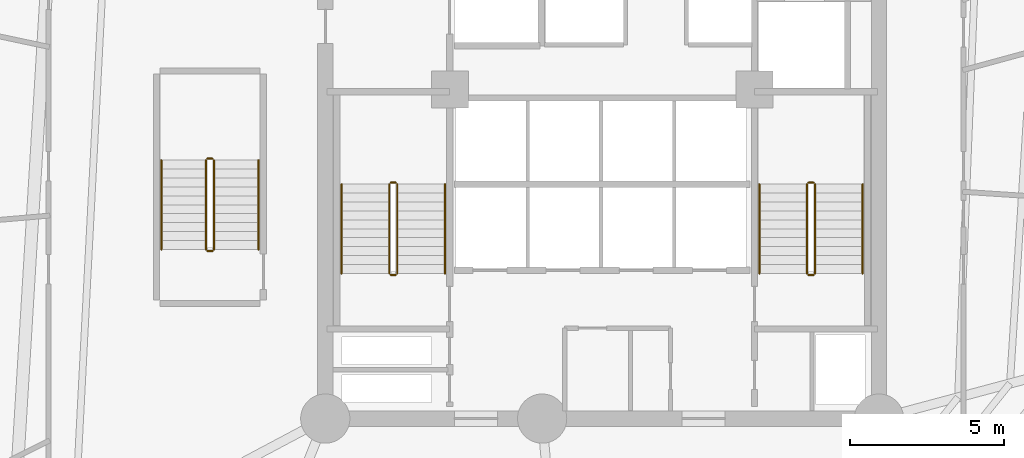
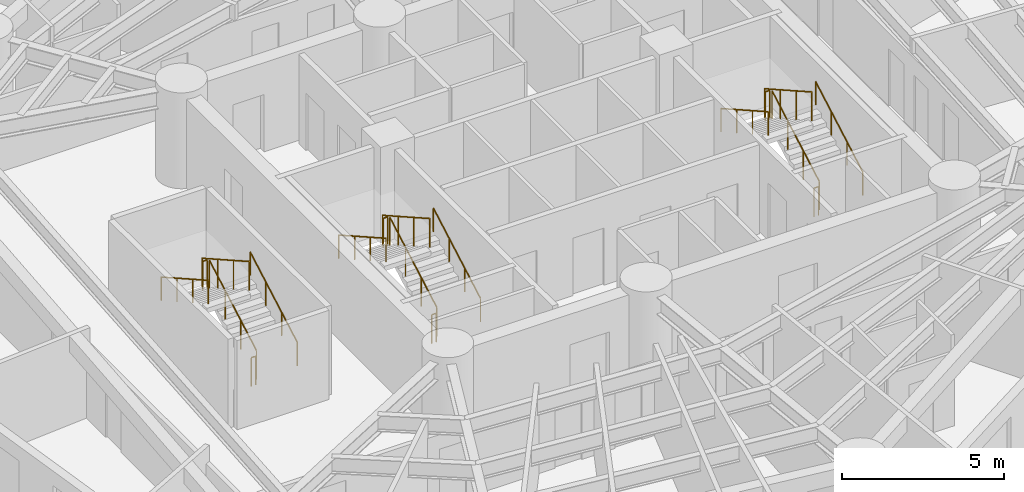
# One storey, part 8 of 9: 18 railings.
"""IFC4 building model written with IfcOpenShell, lengths in metres."""

from ifc_helpers import new_model, si_unit, direction, frame, origin, origin_2d, place, context, subcontext, project, spatial, circle, extrude, material, layer, layer_set, type_object, element, save


model = new_model("IFC4")

# Units and contexts
model_context = context("Model", 3, precision=1e-05, world=origin(), true_north=direction((0.0, 1.0)))
body_context = subcontext(model_context, "Body", "Model", "MODEL_VIEW")
ifc_project = project(units=[si_unit("LENGTHUNIT", "METRE"), si_unit("AREAUNIT", "SQUARE_METRE"), si_unit("VOLUMEUNIT", "CUBIC_METRE"), si_unit("PLANEANGLEUNIT", "RADIAN"), si_unit("MASSUNIT", "GRAM", prefix="KILO")], contexts=[model_context])

# Site, building, storey
site_placement = place(None, origin())
site = spatial("IfcSite", under=ifc_project, at=site_placement, CompositionType="ELEMENT")
building_placement = place(site_placement, origin())
building = spatial("IfcBuilding", under=site, at=building_placement, Name="Karkom Vertical University and Central Library", CompositionType="ELEMENT")
storey_placement = place(building_placement, frame((0.0, 0.0, 69.699951171875)))
storey = spatial("IfcBuildingStorey", under=building, at=storey_placement, Name="L18", CompositionType="ELEMENT", Elevation=69.699951171875)

# Railings
ifc_material_1 = material(Name="Painted galvanised steel balustrade", Category="steel")
ifc_layer_1 = layer(ifc_material_1, 0.06005859375)
ifc_layer_set_1 = layer_set([ifc_layer_1], Name="Painted galvanised steel balustrade")
railing_type_1 = type_object("IfcRailingType", Name="INT-RL-GUARD1100", PredefinedType="GUARDRAIL", material=ifc_layer_set_1)
railing_1_placement = place(storey_placement, frame((21.840087890625, 23.02001953125, 0.16357421875)))
element("IfcRailing", 1, at=railing_1_placement, inside=storey, type_object=railing_type_1, Name="Level 18 ST-1 stair guard 1", PredefinedType="GUARDRAIL", context=body_context, shape_type="SweptSolid", body=[
    extrude(circle(Radius=0.02392578125, at=origin_2d()), frame((0.0, 0.0, 1.076171875), z_axis=(0.0, 0.870897200241, 0.491465224214), x_axis=(-1.0, 0.0, 0.0)), (0.0, 0.0, 1.0), 3.329833984375),
    extrude(circle(Radius=0.02099609375, at=origin_2d()), origin(), (0.0, 0.0, 1.0), 1.052001953125),
    extrude(circle(Radius=0.02099609375, at=origin_2d()), frame((0.0, 0.966552734375, 0.54541015625)), (0.0, 0.0, 1.0), 1.052001953125),
    extrude(circle(Radius=0.02099609375, at=origin_2d()), frame((0.0, 1.933349609375, 1.091064453125)), (0.0, 0.0, 1.0), 1.052001953125),
    extrude(circle(Radius=0.02099609375, at=origin_2d()), frame((0.0, 2.89990234375, 1.636474609375)), (0.0, 0.0, 1.0), 1.052001953125),
])
railing_2_placement = place(storey_placement, frame((21.7900390625, 25.969970703125, 1.800048828125)))
element("IfcRailing", 2, at=railing_2_placement, inside=storey, type_object=railing_type_1, Name="Level 18 ST-1 stair guard 2", PredefinedType="GUARDRAIL", context=body_context, shape_type="SweptSolid", body=[
    extrude(circle(Radius=0.02392578125, at=origin_2d()), frame((0.0, 0.0, 1.076171875), z_axis=(-1.0, 0.0, 0.0), x_axis=(0.0, -1.0, 0.0)), (0.0, 0.0, 1.0), 0.16015625),
    extrude(circle(Radius=0.02099609375, at=origin_2d()), origin(), (0.0, 0.0, 1.0), 1.052001953125),
    extrude(circle(Radius=0.02099609375, at=origin_2d()), frame((-0.16015625, 0.0, 0.0)), (0.0, 0.0, 1.0), 1.052001953125),
])
railing_3_placement = place(storey_placement, frame((21.580078125, 25.919921875, 1.963623046875)))
element("IfcRailing", 3, at=railing_3_placement, inside=storey, type_object=railing_type_1, Name="Level 18 ST-1 stair guard 3", PredefinedType="GUARDRAIL", context=body_context, shape_type="SweptSolid", body=[
    extrude(circle(Radius=0.02392578125, at=origin_2d()), frame((0.0, 0.0, 1.076171875), z_axis=(0.0, -0.870897200241, 0.491465224214), x_axis=(1.0, 0.0, 0.0)), (0.0, 0.0, 1.0), 3.329833984375),
    extrude(circle(Radius=0.02099609375, at=origin_2d()), origin(), (0.0, 0.0, 1.0), 1.052001953125),
    extrude(circle(Radius=0.02099609375, at=origin_2d()), frame((0.0, -0.966552734375, 0.54541015625)), (0.0, 0.0, 1.0), 1.052001953125),
    extrude(circle(Radius=0.02099609375, at=origin_2d()), frame((0.0, -1.933349609375, 1.091064453125)), (0.0, 0.0, 1.0), 1.052001953125),
    extrude(circle(Radius=0.02099609375, at=origin_2d()), frame((0.0, -2.89990234375, 1.636474609375)), (0.0, 0.0, 1.0), 1.052001953125),
])
railing_4_placement = place(storey_placement, frame((21.7900390625, 22.969970703125, 0.0)))
element("IfcRailing", 4, at=railing_4_placement, inside=storey, type_object=railing_type_1, Name="Level 18 ST-1 stair guard 4", PredefinedType="GUARDRAIL", context=body_context, shape_type="SweptSolid", body=[
    extrude(circle(Radius=0.02392578125, at=origin_2d()), frame((0.0, 0.0, 1.076171875), z_axis=(-1.0, 0.0, 0.0), x_axis=(0.0, -1.0, 0.0)), (0.0, 0.0, 1.0), 0.16015625),
    extrude(circle(Radius=0.02099609375, at=origin_2d()), origin(), (0.0, 0.0, 1.0), 1.052001953125),
    extrude(circle(Radius=0.02099609375, at=origin_2d()), frame((-0.16015625, 0.0, 0.0)), (0.0, 0.0, 1.0), 1.052001953125),
])
railing_5_placement = place(storey_placement, frame((35.419921875, 23.02001953125, 0.16357421875)))
element("IfcRailing", 5, at=railing_5_placement, inside=storey, type_object=railing_type_1, Name="Level 18 ST-2 stair guard 1", PredefinedType="GUARDRAIL", context=body_context, shape_type="SweptSolid", body=[
    extrude(circle(Radius=0.02392578125, at=origin_2d()), frame((0.0, 0.0, 1.076171875), z_axis=(0.0, 0.870897200241, 0.491465224214), x_axis=(-1.0, 0.0, 0.0)), (0.0, 0.0, 1.0), 3.329833984375),
    extrude(circle(Radius=0.02099609375, at=origin_2d()), origin(), (0.0, 0.0, 1.0), 1.052001953125),
    extrude(circle(Radius=0.02099609375, at=origin_2d()), frame((0.0, 0.966552734375, 0.54541015625)), (0.0, 0.0, 1.0), 1.052001953125),
    extrude(circle(Radius=0.02099609375, at=origin_2d()), frame((0.0, 1.933349609375, 1.091064453125)), (0.0, 0.0, 1.0), 1.052001953125),
    extrude(circle(Radius=0.02099609375, at=origin_2d()), frame((0.0, 2.89990234375, 1.636474609375)), (0.0, 0.0, 1.0), 1.052001953125),
])
railing_6_placement = place(storey_placement, frame((35.3701171875, 25.969970703125, 1.800048828125)))
element("IfcRailing", 6, at=railing_6_placement, inside=storey, type_object=railing_type_1, Name="Level 18 ST-2 stair guard 2", PredefinedType="GUARDRAIL", context=body_context, shape_type="SweptSolid", body=[
    extrude(circle(Radius=0.02392578125, at=origin_2d()), frame((0.0, 0.0, 1.076171875), z_axis=(-1.0, 0.0, 0.0), x_axis=(0.0, -1.0, 0.0)), (0.0, 0.0, 1.0), 0.16015625),
    extrude(circle(Radius=0.02099609375, at=origin_2d()), origin(), (0.0, 0.0, 1.0), 1.052001953125),
    extrude(circle(Radius=0.02099609375, at=origin_2d()), frame((-0.16015625, 0.0, 0.0)), (0.0, 0.0, 1.0), 1.052001953125),
])
railing_7_placement = place(storey_placement, frame((35.159912109375, 25.919921875, 1.963623046875)))
element("IfcRailing", 7, at=railing_7_placement, inside=storey, type_object=railing_type_1, Name="Level 18 ST-2 stair guard 3", PredefinedType="GUARDRAIL", context=body_context, shape_type="SweptSolid", body=[
    extrude(circle(Radius=0.02392578125, at=origin_2d()), frame((0.0, 0.0, 1.076171875), z_axis=(0.0, -0.870897200241, 0.491465224214), x_axis=(1.0, 0.0, 0.0)), (0.0, 0.0, 1.0), 3.329833984375),
    extrude(circle(Radius=0.02099609375, at=origin_2d()), origin(), (0.0, 0.0, 1.0), 1.052001953125),
    extrude(circle(Radius=0.02099609375, at=origin_2d()), frame((0.0, -0.966552734375, 0.54541015625)), (0.0, 0.0, 1.0), 1.052001953125),
    extrude(circle(Radius=0.02099609375, at=origin_2d()), frame((0.0, -1.933349609375, 1.091064453125)), (0.0, 0.0, 1.0), 1.052001953125),
    extrude(circle(Radius=0.02099609375, at=origin_2d()), frame((0.0, -2.89990234375, 1.636474609375)), (0.0, 0.0, 1.0), 1.052001953125),
])
railing_8_placement = place(storey_placement, frame((35.3701171875, 22.969970703125, 0.0)))
element("IfcRailing", 8, at=railing_8_placement, inside=storey, type_object=railing_type_1, Name="Level 18 ST-2 stair guard 4", PredefinedType="GUARDRAIL", context=body_context, shape_type="SweptSolid", body=[
    extrude(circle(Radius=0.02392578125, at=origin_2d()), frame((0.0, 0.0, 1.076171875), z_axis=(-1.0, 0.0, 0.0), x_axis=(0.0, -1.0, 0.0)), (0.0, 0.0, 1.0), 0.16015625),
    extrude(circle(Radius=0.02099609375, at=origin_2d()), origin(), (0.0, 0.0, 1.0), 1.052001953125),
    extrude(circle(Radius=0.02099609375, at=origin_2d()), frame((-0.16015625, 0.0, 0.0)), (0.0, 0.0, 1.0), 1.052001953125),
])
railing_9_placement = place(storey_placement, frame((15.8798828125, 23.800048828125, 0.16357421875)))
element("IfcRailing", 9, at=railing_9_placement, inside=storey, type_object=railing_type_1, Name="Level 18 ST-3 stair guard 1", PredefinedType="GUARDRAIL", context=body_context, shape_type="SweptSolid", body=[
    extrude(circle(Radius=0.02392578125, at=origin_2d()), frame((0.0, 0.0, 1.076171875), z_axis=(0.0, 0.870897200241, 0.491465224214), x_axis=(-1.0, 0.0, 0.0)), (0.0, 0.0, 1.0), 3.329833984375),
    extrude(circle(Radius=0.02099609375, at=origin_2d()), origin(), (0.0, 0.0, 1.0), 1.052001953125),
    extrude(circle(Radius=0.02099609375, at=origin_2d()), frame((0.0, 0.966552734375, 0.54541015625)), (0.0, 0.0, 1.0), 1.052001953125),
    extrude(circle(Radius=0.02099609375, at=origin_2d()), frame((0.0, 1.933349609375, 1.091064453125)), (0.0, 0.0, 1.0), 1.052001953125),
    extrude(circle(Radius=0.02099609375, at=origin_2d()), frame((0.0, 2.89990234375, 1.636474609375)), (0.0, 0.0, 1.0), 1.052001953125),
])
railing_10_placement = place(storey_placement, frame((15.830078125, 26.75, 1.800048828125)))
element("IfcRailing", 10, at=railing_10_placement, inside=storey, type_object=railing_type_1, Name="Level 18 ST-3 stair guard 2", PredefinedType="GUARDRAIL", context=body_context, shape_type="SweptSolid", body=[
    extrude(circle(Radius=0.02392578125, at=origin_2d()), frame((0.0, 0.0, 1.076171875), z_axis=(-1.0, 0.0, 0.0), x_axis=(0.0, -1.0, 0.0)), (0.0, 0.0, 1.0), 0.16015625),
    extrude(circle(Radius=0.02099609375, at=origin_2d()), origin(), (0.0, 0.0, 1.0), 1.052001953125),
    extrude(circle(Radius=0.02099609375, at=origin_2d()), frame((-0.16015625, 0.0, 0.0)), (0.0, 0.0, 1.0), 1.052001953125),
])
railing_11_placement = place(storey_placement, frame((15.6201171875, 26.699951171875, 1.963623046875)))
element("IfcRailing", 11, at=railing_11_placement, inside=storey, type_object=railing_type_1, Name="Level 18 ST-3 stair guard 3", PredefinedType="GUARDRAIL", context=body_context, shape_type="SweptSolid", body=[
    extrude(circle(Radius=0.02392578125, at=origin_2d()), frame((0.0, 0.0, 1.076171875), z_axis=(0.0, -0.870897200241, 0.491465224214), x_axis=(1.0, 0.0, 0.0)), (0.0, 0.0, 1.0), 3.329833984375),
    extrude(circle(Radius=0.02099609375, at=origin_2d()), origin(), (0.0, 0.0, 1.0), 1.052001953125),
    extrude(circle(Radius=0.02099609375, at=origin_2d()), frame((0.0, -0.966552734375, 0.54541015625)), (0.0, 0.0, 1.0), 1.052001953125),
    extrude(circle(Radius=0.02099609375, at=origin_2d()), frame((0.0, -1.933349609375, 1.091064453125)), (0.0, 0.0, 1.0), 1.052001953125),
    extrude(circle(Radius=0.02099609375, at=origin_2d()), frame((0.0, -2.89990234375, 1.636474609375)), (0.0, 0.0, 1.0), 1.052001953125),
])
railing_12_placement = place(storey_placement, frame((15.830078125, 23.75, 0.0)))
element("IfcRailing", 12, at=railing_12_placement, inside=storey, type_object=railing_type_1, Name="Level 18 ST-3 stair guard 4", PredefinedType="GUARDRAIL", context=body_context, shape_type="SweptSolid", body=[
    extrude(circle(Radius=0.02392578125, at=origin_2d()), frame((0.0, 0.0, 1.076171875), z_axis=(-1.0, 0.0, 0.0), x_axis=(0.0, -1.0, 0.0)), (0.0, 0.0, 1.0), 0.16015625),
    extrude(circle(Radius=0.02099609375, at=origin_2d()), origin(), (0.0, 0.0, 1.0), 1.052001953125),
    extrude(circle(Radius=0.02099609375, at=origin_2d()), frame((-0.16015625, 0.0, 0.0)), (0.0, 0.0, 1.0), 1.052001953125),
])
ifc_material_2 = material(Name="Brushed stainless-steel tubular handrail", Category="steel")
ifc_layer_2 = layer(ifc_material_2, 0.048095703125)
ifc_layer_set_2 = layer_set([ifc_layer_2], Name="Brushed stainless-steel tubular handrail")
railing_type_2 = type_object("IfcRailingType", Name="INT-RL-HAND920", PredefinedType="HANDRAIL", material=ifc_layer_set_2)
railing_13_placement = place(storey_placement, frame((23.389892578125, 23.02001953125, 0.16357421875)))
element("IfcRailing", 13, at=railing_13_placement, inside=storey, type_object=railing_type_2, Name="Level 18 ST-1 stair handrail 1", PredefinedType="HANDRAIL", context=body_context, shape_type="SweptSolid", body=[
    extrude(circle(Radius=0.02392578125, at=origin_2d()), frame((0.0, 0.0, 0.8759765625), z_axis=(0.0, 0.870897200241, 0.491465224214), x_axis=(-1.0, 0.0, 0.0)), (0.0, 0.0, 1.0), 3.329833984375),
    extrude(circle(Radius=0.02099609375, at=origin_2d()), origin(), (0.0, 0.0, 1.0), 0.851806640625),
    extrude(circle(Radius=0.02099609375, at=origin_2d()), frame((0.0, 0.966552734375, 0.54541015625)), (0.0, 0.0, 1.0), 0.851806640625),
    extrude(circle(Radius=0.02099609375, at=origin_2d()), frame((0.0, 1.933349609375, 1.091064453125)), (0.0, 0.0, 1.0), 0.851806640625),
    extrude(circle(Radius=0.02099609375, at=origin_2d()), frame((0.0, 2.89990234375, 1.636474609375)), (0.0, 0.0, 1.0), 0.851806640625),
])
railing_14_placement = place(storey_placement, frame((20.030029296875, 25.919921875, 1.963623046875)))
element("IfcRailing", 14, at=railing_14_placement, inside=storey, type_object=railing_type_2, Name="Level 18 ST-1 stair handrail 2", PredefinedType="HANDRAIL", context=body_context, shape_type="SweptSolid", body=[
    extrude(circle(Radius=0.02392578125, at=origin_2d()), frame((0.0, 0.0, 0.8759765625), z_axis=(0.0, -0.870897200241, 0.491465224214), x_axis=(1.0, 0.0, 0.0)), (0.0, 0.0, 1.0), 3.329833984375),
    extrude(circle(Radius=0.02099609375, at=origin_2d()), origin(), (0.0, 0.0, 1.0), 0.851806640625),
    extrude(circle(Radius=0.02099609375, at=origin_2d()), frame((0.0, -0.966552734375, 0.54541015625)), (0.0, 0.0, 1.0), 0.851806640625),
    extrude(circle(Radius=0.02099609375, at=origin_2d()), frame((0.0, -1.933349609375, 1.091064453125)), (0.0, 0.0, 1.0), 0.851806640625),
    extrude(circle(Radius=0.02099609375, at=origin_2d()), frame((0.0, -2.89990234375, 1.636474609375)), (0.0, 0.0, 1.0), 0.851806640625),
])
railing_15_placement = place(storey_placement, frame((36.969970703125, 23.02001953125, 0.16357421875)))
element("IfcRailing", 15, at=railing_15_placement, inside=storey, type_object=railing_type_2, Name="Level 18 ST-2 stair handrail 1", PredefinedType="HANDRAIL", context=body_context, shape_type="SweptSolid", body=[
    extrude(circle(Radius=0.02392578125, at=origin_2d()), frame((0.0, 0.0, 0.8759765625), z_axis=(0.0, 0.870897200241, 0.491465224214), x_axis=(-1.0, 0.0, 0.0)), (0.0, 0.0, 1.0), 3.329833984375),
    extrude(circle(Radius=0.02099609375, at=origin_2d()), origin(), (0.0, 0.0, 1.0), 0.851806640625),
    extrude(circle(Radius=0.02099609375, at=origin_2d()), frame((0.0, 0.966552734375, 0.54541015625)), (0.0, 0.0, 1.0), 0.851806640625),
    extrude(circle(Radius=0.02099609375, at=origin_2d()), frame((0.0, 1.933349609375, 1.091064453125)), (0.0, 0.0, 1.0), 0.851806640625),
    extrude(circle(Radius=0.02099609375, at=origin_2d()), frame((0.0, 2.89990234375, 1.636474609375)), (0.0, 0.0, 1.0), 0.851806640625),
])
railing_16_placement = place(storey_placement, frame((33.610107421875, 25.919921875, 1.963623046875)))
element("IfcRailing", 16, at=railing_16_placement, inside=storey, type_object=railing_type_2, Name="Level 18 ST-2 stair handrail 2", PredefinedType="HANDRAIL", context=body_context, shape_type="SweptSolid", body=[
    extrude(circle(Radius=0.02392578125, at=origin_2d()), frame((0.0, 0.0, 0.8759765625), z_axis=(0.0, -0.870897200241, 0.491465224214), x_axis=(1.0, 0.0, 0.0)), (0.0, 0.0, 1.0), 3.329833984375),
    extrude(circle(Radius=0.02099609375, at=origin_2d()), origin(), (0.0, 0.0, 1.0), 0.851806640625),
    extrude(circle(Radius=0.02099609375, at=origin_2d()), frame((0.0, -0.966552734375, 0.54541015625)), (0.0, 0.0, 1.0), 0.851806640625),
    extrude(circle(Radius=0.02099609375, at=origin_2d()), frame((0.0, -1.933349609375, 1.091064453125)), (0.0, 0.0, 1.0), 0.851806640625),
    extrude(circle(Radius=0.02099609375, at=origin_2d()), frame((0.0, -2.89990234375, 1.636474609375)), (0.0, 0.0, 1.0), 0.851806640625),
])
railing_17_placement = place(storey_placement, frame((17.330078125, 23.800048828125, 0.16357421875)))
element("IfcRailing", 17, at=railing_17_placement, inside=storey, type_object=railing_type_2, Name="Level 18 ST-3 stair handrail 1", PredefinedType="HANDRAIL", context=body_context, shape_type="SweptSolid", body=[
    extrude(circle(Radius=0.02392578125, at=origin_2d()), frame((0.0, 0.0, 0.8759765625), z_axis=(0.0, 0.870897200241, 0.491465224214), x_axis=(-1.0, 0.0, 0.0)), (0.0, 0.0, 1.0), 3.329833984375),
    extrude(circle(Radius=0.02099609375, at=origin_2d()), origin(), (0.0, 0.0, 1.0), 0.851806640625),
    extrude(circle(Radius=0.02099609375, at=origin_2d()), frame((0.0, 0.966552734375, 0.54541015625)), (0.0, 0.0, 1.0), 0.851806640625),
    extrude(circle(Radius=0.02099609375, at=origin_2d()), frame((0.0, 1.933349609375, 1.091064453125)), (0.0, 0.0, 1.0), 0.851806640625),
    extrude(circle(Radius=0.02099609375, at=origin_2d()), frame((0.0, 2.89990234375, 1.636474609375)), (0.0, 0.0, 1.0), 0.851806640625),
])
railing_18_placement = place(storey_placement, frame((14.169921875, 26.699951171875, 1.963623046875)))
element("IfcRailing", 18, at=railing_18_placement, inside=storey, type_object=railing_type_2, Name="Level 18 ST-3 stair handrail 2", PredefinedType="HANDRAIL", context=body_context, shape_type="SweptSolid", body=[
    extrude(circle(Radius=0.02392578125, at=origin_2d()), frame((0.0, 0.0, 0.8759765625), z_axis=(0.0, -0.870897200241, 0.491465224214), x_axis=(1.0, 0.0, 0.0)), (0.0, 0.0, 1.0), 3.329833984375),
    extrude(circle(Radius=0.02099609375, at=origin_2d()), origin(), (0.0, 0.0, 1.0), 0.851806640625),
    extrude(circle(Radius=0.02099609375, at=origin_2d()), frame((0.0, -0.966552734375, 0.54541015625)), (0.0, 0.0, 1.0), 0.851806640625),
    extrude(circle(Radius=0.02099609375, at=origin_2d()), frame((0.0, -1.933349609375, 1.091064453125)), (0.0, 0.0, 1.0), 0.851806640625),
    extrude(circle(Radius=0.02099609375, at=origin_2d()), frame((0.0, -2.89990234375, 1.636474609375)), (0.0, 0.0, 1.0), 0.851806640625),
])

save(model, "model.ifc")
